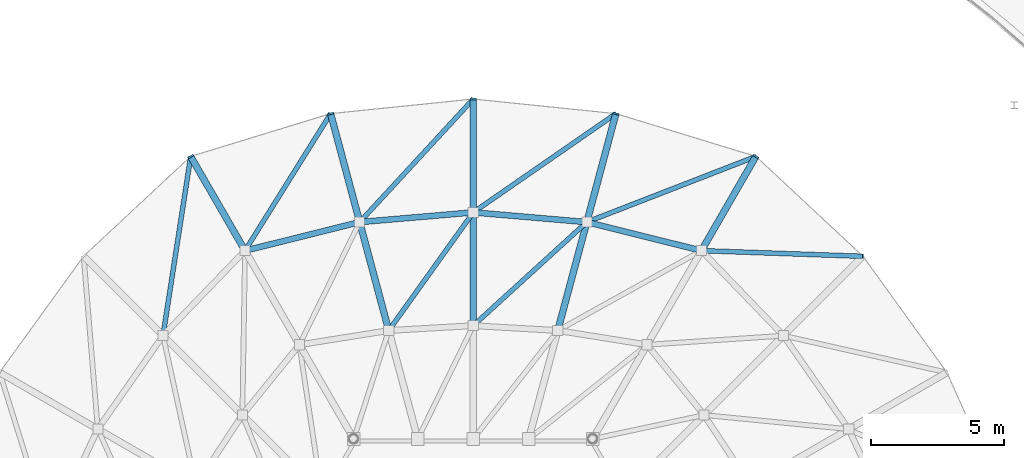
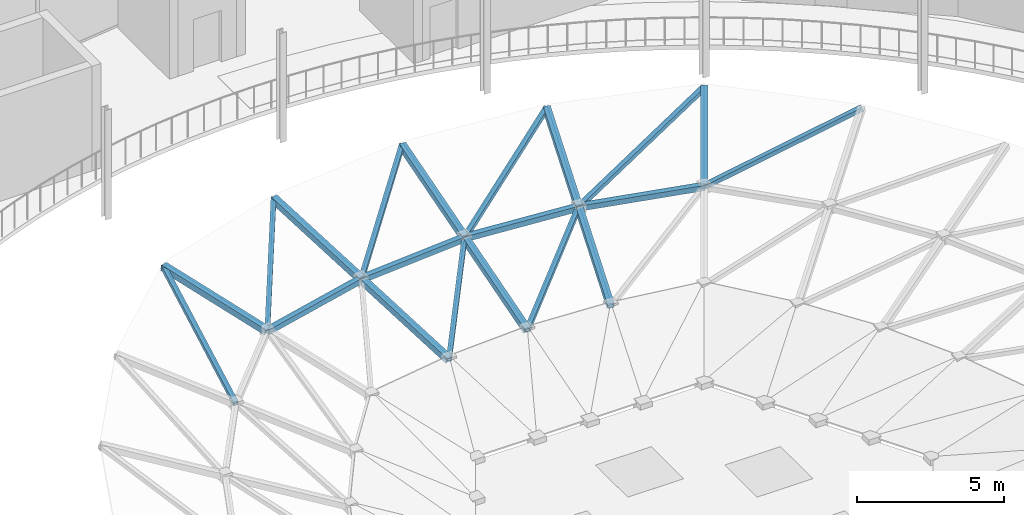
# One storey, part 47 of 116: 20 members.
"""IFC4 building model written with IfcOpenShell, lengths in metres."""

from ifc_helpers import new_model, si_unit, direction, frame, origin, origin_2d, place, context, subcontext, project, spatial, hollow_rectangle, extrude, material, material_profile, profile_set, type_object, element, save


model = new_model("IFC4")

# Units and contexts
model_context = context("Model", 3, precision=1e-05, world=origin(), true_north=direction((0.0, 1.0)))
body_context = subcontext(model_context, "Body", "Model", "MODEL_VIEW")
ifc_project = project(units=[si_unit("LENGTHUNIT", "METRE"), si_unit("AREAUNIT", "SQUARE_METRE"), si_unit("VOLUMEUNIT", "CUBIC_METRE"), si_unit("PLANEANGLEUNIT", "RADIAN"), si_unit("MASSUNIT", "GRAM", prefix="KILO")], contexts=[model_context])

# Site, building, storey
site_placement = place(None, origin())
site = spatial("IfcSite", under=ifc_project, at=site_placement, CompositionType="ELEMENT")
building_placement = place(site_placement, origin())
building = spatial("IfcBuilding", under=site, at=building_placement, Name="Almandine Court Research Institute", CompositionType="ELEMENT")
storey_placement = place(building_placement, frame((0.0, 0.0, 14.35009765625)))
storey = spatial("IfcBuildingStorey", under=building, at=storey_placement, Name="L03", CompositionType="ELEMENT", Elevation=14.35009765625)

# Members
ifc_material = material(Name="Steel ASTM A500 Grade C", Category="steel")
ifc_material_profile_1 = material_profile(ifc_material, hollow_rectangle(XDim=0.25, YDim=0.25, WallThickness=0.010009765625, at=origin_2d()), Name="HSS 250x250x10")
ifc_profile_set_1 = profile_set([ifc_material_profile_1], Name="Steel ASTM A500 Grade C")
member_type_1 = type_object("IfcMemberType", Name="Mem-GS-AR1", PredefinedType="RAFTER", material=ifc_profile_set_1)
member_1_placement = place(storey_placement, frame((97.638916015625, 74.427978515625, 4.77099609375), z_axis=(-0.477830810547, -0.827935962905, -0.293597952686), x_axis=(0.86610613113, -0.49986015006, 0.0)))
element("IfcMember", 1, at=member_1_placement, inside=storey, type_object=member_type_1, Name="Atrium Conical Gridshell Radial Rib R4-S04", PredefinedType="RAFTER", context=body_context, shape_type="SweptSolid", body=[
    extrude(hollow_rectangle(XDim=0.25, YDim=0.25, WallThickness=0.010009765625, at=origin_2d()), origin(), (0.0, 0.0, 1.0), 4.28173828125),
])
member_2_placement = place(storey_placement, frame((92.3701171875, 76.0400390625, 4.77099609375), z_axis=(-0.248174536061, -0.925809514267, -0.285107248144), x_axis=(0.965898532228, -0.25892088645, 0.0)))
element("IfcMember", 2, at=member_2_placement, inside=storey, type_object=member_type_1, Name="Atrium Conical Gridshell Radial Rib R4-S05", PredefinedType="RAFTER", context=body_context, shape_type="SweptSolid", body=[
    extrude(hollow_rectangle(XDim=0.25, YDim=0.25, WallThickness=0.010009765625, at=origin_2d()), origin(), (0.0, 0.0, 1.0), 4.4091796875),
])
member_3_placement = place(storey_placement, frame((87.0, 76.590087890625, 4.77099609375), z_axis=(0.0, -0.95922289885, -0.282650721425), x_axis=(1.0, 0.0, 0.0)))
element("IfcMember", 3, at=member_3_placement, inside=storey, type_object=member_type_1, Name="Atrium Conical Gridshell Radial Rib R4-S06", PredefinedType="RAFTER", context=body_context, shape_type="SweptSolid", body=[
    extrude(hollow_rectangle(XDim=0.25, YDim=0.25, WallThickness=0.010009765625, at=origin_2d()), origin(), (0.0, 0.0, 1.0), 4.447509765625),
])
member_4_placement = place(storey_placement, frame((81.6298828125, 76.0400390625, 4.77099609375), z_axis=(0.248174536061, -0.925809514267, -0.285107248144), x_axis=(0.965898532228, 0.25892088645, 0.0)))
element("IfcMember", 4, at=member_4_placement, inside=storey, type_object=member_type_1, Name="Atrium Conical Gridshell Radial Rib R4-S07", PredefinedType="RAFTER", context=body_context, shape_type="SweptSolid", body=[
    extrude(hollow_rectangle(XDim=0.25, YDim=0.25, WallThickness=0.010009765625, at=origin_2d()), origin(), (0.0, 0.0, 1.0), 4.4091796875),
])
member_5_placement = place(storey_placement, frame((76.361083984375, 74.427978515625, 4.77099609375), z_axis=(0.477830810547, -0.827935962905, -0.293597952686), x_axis=(0.86610613113, 0.49986015006, 0.0)))
element("IfcMember", 5, at=member_5_placement, inside=storey, type_object=member_type_1, Name="Atrium Conical Gridshell Radial Rib R4-S08", PredefinedType="RAFTER", context=body_context, shape_type="SweptSolid", body=[
    extrude(hollow_rectangle(XDim=0.25, YDim=0.25, WallThickness=0.010009765625, at=origin_2d()), origin(), (0.0, 0.0, 1.0), 4.28173828125),
])
member_6_placement = place(storey_placement, frame((91.27587890625, 71.9580078125, 3.513916015625), z_axis=(-0.248122573964, -0.925822235368, -0.285111165665), x_axis=(0.965912978478, -0.258866989029, 0.0)))
element("IfcMember", 6, at=member_6_placement, inside=storey, type_object=member_type_1, Name="Atrium Conical Gridshell Radial Rib R5-S05", PredefinedType="RAFTER", context=body_context, shape_type="SweptSolid", body=[
    extrude(hollow_rectangle(XDim=0.25, YDim=0.25, WallThickness=0.010009765625, at=origin_2d()), origin(), (0.0, 0.0, 1.0), 4.4091796875),
])
member_7_placement = place(storey_placement, frame((87.0, 72.323974609375, 3.513916015625), z_axis=(0.0, -0.959200962269, -0.282725156261), x_axis=(1.0, 0.0, 0.0)))
element("IfcMember", 7, at=member_7_placement, inside=storey, type_object=member_type_1, Name="Atrium Conical Gridshell Radial Rib R5-S06", PredefinedType="RAFTER", context=body_context, shape_type="SweptSolid", body=[
    extrude(hollow_rectangle(XDim=0.25, YDim=0.25, WallThickness=0.010009765625, at=origin_2d()), origin(), (0.0, 0.0, 1.0), 4.4462890625),
])
member_8_placement = place(storey_placement, frame((82.72412109375, 71.9580078125, 3.513916015625), z_axis=(0.248122573964, -0.925822235368, -0.285111165665), x_axis=(0.965912978478, 0.258866989029, 0.0)))
element("IfcMember", 8, at=member_8_placement, inside=storey, type_object=member_type_1, Name="Atrium Conical Gridshell Radial Rib R5-S07", PredefinedType="RAFTER", context=body_context, shape_type="SweptSolid", body=[
    extrude(hollow_rectangle(XDim=0.25, YDim=0.25, WallThickness=0.010009765625, at=origin_2d()), origin(), (0.0, 0.0, 1.0), 4.4091796875),
])
ifc_material_profile_2 = material_profile(ifc_material, hollow_rectangle(XDim=0.179931640625, YDim=0.179931640625, WallThickness=0.008056640625, at=origin_2d()), Name="HSS 180x180x8")
ifc_profile_set_2 = profile_set([ifc_material_profile_2], Name="Steel ASTM A500 Grade C")
member_type_2 = type_object("IfcMemberType", Name="Mem-GS-BR1", PredefinedType="BRACE", material=ifc_profile_set_2)
member_9_placement = place(storey_placement, frame((101.669921875, 70.669921875, 4.77099609375), z_axis=(-0.978690071539, 0.03432551655, -0.202453705289), x_axis=(-0.035051366037, -0.999385512072, 0.0)))
element("IfcMember", 9, at=member_9_placement, inside=storey, type_object=member_type_2, Name="Atrium Conical Gridshell Diagonal Brace R4-S03", PredefinedType="BRACE", context=body_context, shape_type="SweptSolid", body=[
    extrude(hollow_rectangle(XDim=0.179931640625, YDim=0.179931640625, WallThickness=0.008056640625, at=origin_2d()), origin(), (0.0, 0.0, 1.0), 6.209228515625),
])
member_10_placement = place(storey_placement, frame((97.638916015625, 74.427978515625, 4.77099609375), z_axis=(-0.916810393501, -0.355882697734, -0.18112484043), x_axis=(0.361867953097, -0.932229362615, 0.0)))
element("IfcMember", 10, at=member_10_placement, inside=storey, type_object=member_type_2, Name="Atrium Conical Gridshell Diagonal Brace R4-S04", PredefinedType="BRACE", context=body_context, shape_type="SweptSolid", body=[
    extrude(hollow_rectangle(XDim=0.179931640625, YDim=0.179931640625, WallThickness=0.008056640625, at=origin_2d()), origin(), (0.0, 0.0, 1.0), 6.9404296875),
])
member_11_placement = place(storey_placement, frame((92.3701171875, 76.0400390625, 4.77099609375), z_axis=(-0.807490369933, -0.558774819092, -0.189023818639), x_axis=(0.569033061086, -0.822314645006, 0.0)))
element("IfcMember", 11, at=member_11_placement, inside=storey, type_object=member_type_2, Name="Atrium Conical Gridshell Diagonal Brace R4-S05", PredefinedType="BRACE", context=body_context, shape_type="SweptSolid", body=[
    extrude(hollow_rectangle(XDim=0.179931640625, YDim=0.179931640625, WallThickness=0.008056640625, at=origin_2d()), origin(), (0.0, 0.0, 1.0), 6.650390625),
])
member_12_placement = place(storey_placement, frame((87.0, 76.590087890625, 4.77099609375), z_axis=(-0.665192848103, -0.720606595127, -0.195562291589), x_axis=(0.734794535787, -0.678289753849, 0.0)))
element("IfcMember", 12, at=member_12_placement, inside=storey, type_object=member_type_2, Name="Atrium Conical Gridshell Diagonal Brace R4-S06", PredefinedType="BRACE", context=body_context, shape_type="SweptSolid", body=[
    extrude(hollow_rectangle(XDim=0.179931640625, YDim=0.179931640625, WallThickness=0.008056640625, at=origin_2d()), origin(), (0.0, 0.0, 1.0), 6.427978515625),
])
member_13_placement = place(storey_placement, frame((81.6298828125, 76.0400390625, 4.77099609375), z_axis=(-0.519001013928, -0.830456663677, -0.202434377753), x_axis=(0.84801409157, -0.529973679062, 0.0)))
element("IfcMember", 13, at=member_13_placement, inside=storey, type_object=member_type_2, Name="Atrium Conical Gridshell Diagonal Brace R4-S07", PredefinedType="BRACE", context=body_context, shape_type="SweptSolid", body=[
    extrude(hollow_rectangle(XDim=0.179931640625, YDim=0.179931640625, WallThickness=0.008056640625, at=origin_2d()), origin(), (0.0, 0.0, 1.0), 6.209716796875),
])
member_14_placement = place(storey_placement, frame((76.361083984375, 74.427978515625, 4.77099609375), z_axis=(-0.150261509077, -0.97191620291, -0.18110873367), x_axis=(0.98825896391, -0.152788154814, 0.0)))
element("IfcMember", 14, at=member_14_placement, inside=storey, type_object=member_type_2, Name="Atrium Conical Gridshell Diagonal Brace R4-S08", PredefinedType="BRACE", context=body_context, shape_type="SweptSolid", body=[
    extrude(hollow_rectangle(XDim=0.179931640625, YDim=0.179931640625, WallThickness=0.008056640625, at=origin_2d()), origin(), (0.0, 0.0, 1.0), 6.94091796875),
])
member_15_placement = place(storey_placement, frame((91.27587890625, 71.9580078125, 3.513916015625), z_axis=(-0.722085119583, -0.658427507122, -0.212288242591), x_axis=(0.673785026765, -0.738927423843, 0.0)))
element("IfcMember", 15, at=member_15_placement, inside=storey, type_object=member_type_2, Name="Atrium Conical Gridshell Diagonal Brace R5-S05", PredefinedType="BRACE", context=body_context, shape_type="SweptSolid", body=[
    extrude(hollow_rectangle(XDim=0.179931640625, YDim=0.179931640625, WallThickness=0.008056640625, at=origin_2d()), origin(), (0.0, 0.0, 1.0), 5.921630859375),
])
member_16_placement = place(storey_placement, frame((87.0, 72.323974609375, 3.513916015625), z_axis=(-0.567025713396, -0.792652610479, -0.224017140971), x_axis=(0.813323049575, -0.581812355514, 0.0)))
element("IfcMember", 16, at=member_16_placement, inside=storey, type_object=member_type_2, Name="Atrium Conical Gridshell Diagonal Brace R5-S06", PredefinedType="BRACE", context=body_context, shape_type="SweptSolid", body=[
    extrude(hollow_rectangle(XDim=0.179931640625, YDim=0.179931640625, WallThickness=0.008056640625, at=origin_2d()), origin(), (0.0, 0.0, 1.0), 5.611572265625),
])
ifc_material_profile_3 = material_profile(ifc_material, hollow_rectangle(XDim=0.219970703125, YDim=0.219970703125, WallThickness=0.010009765625, at=origin_2d()), Name="HSS 220x220x10")
ifc_profile_set_3 = profile_set([ifc_material_profile_3], Name="Steel ASTM A500 Grade C")
member_type_3 = type_object("IfcMemberType", Name="Mem-GS-ST1", PredefinedType="COLLAR", material=ifc_profile_set_3)
member_17_placement = place(storey_placement, frame((95.593017578125, 70.883056640625, 3.513916015625), z_axis=(-0.970371254748, 0.241618765744, 0.0), x_axis=(-0.241618765744, -0.970371254748, 0.0)))
element("IfcMember", 17, at=member_17_placement, inside=storey, type_object=member_type_3, Name="Atrium Conical Gridshell Hoop Ring R5-S04", PredefinedType="COLLAR", context=body_context, shape_type="SweptSolid", body=[
    extrude(hollow_rectangle(XDim=0.219970703125, YDim=0.219970703125, WallThickness=0.010009765625, at=origin_2d()), origin(), (0.0, 0.0, 1.0), 4.448974609375),
])
for number, where, z_axis, x_axis, name in (
    (18, (91.27587890625, 71.9580078125, 3.513916015625), (-0.996357290731, 0.085276897271, 0.0), (-0.085276897271, -0.996357290731, 0.0), "Atrium Conical Gridshell Hoop Ring R5-S05"),
    (19, (87.0, 72.323974609375, 3.513916015625), (-0.996357290731, -0.085276897271, 0.0), (0.085276897271, -0.996357290731, 0.0), "Atrium Conical Gridshell Hoop Ring R5-S06"),
):
    element("IfcMember", number, at=place(storey_placement, frame(where, z_axis=z_axis, x_axis=x_axis)), inside=storey, type_object=member_type_3, Name=name, PredefinedType="COLLAR", context=body_context, shape_type="SweptSolid", body=[
        extrude(hollow_rectangle(XDim=0.219970703125, YDim=0.219970703125, WallThickness=0.010009765625, at=origin_2d()), origin(), (0.0, 0.0, 1.0), 4.29150390625),
    ])
member_18_placement = place(storey_placement, frame((82.72412109375, 71.9580078125, 3.513916015625), z_axis=(-0.970371254748, -0.241618765744, 0.0), x_axis=(0.241618765744, -0.970371254748, 0.0)))
element("IfcMember", 20, at=member_18_placement, inside=storey, type_object=member_type_3, Name="Atrium Conical Gridshell Hoop Ring R5-S07", PredefinedType="COLLAR", context=body_context, shape_type="SweptSolid", body=[
    extrude(hollow_rectangle(XDim=0.219970703125, YDim=0.219970703125, WallThickness=0.010009765625, at=origin_2d()), origin(), (0.0, 0.0, 1.0), 4.448974609375),
])

save(model, "model.ifc")
